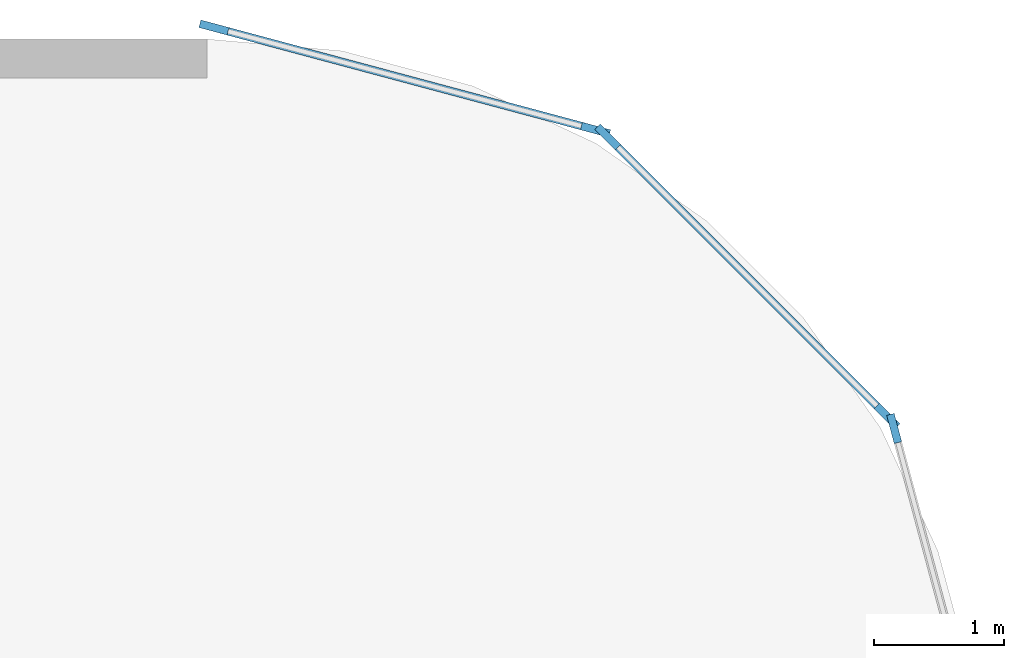
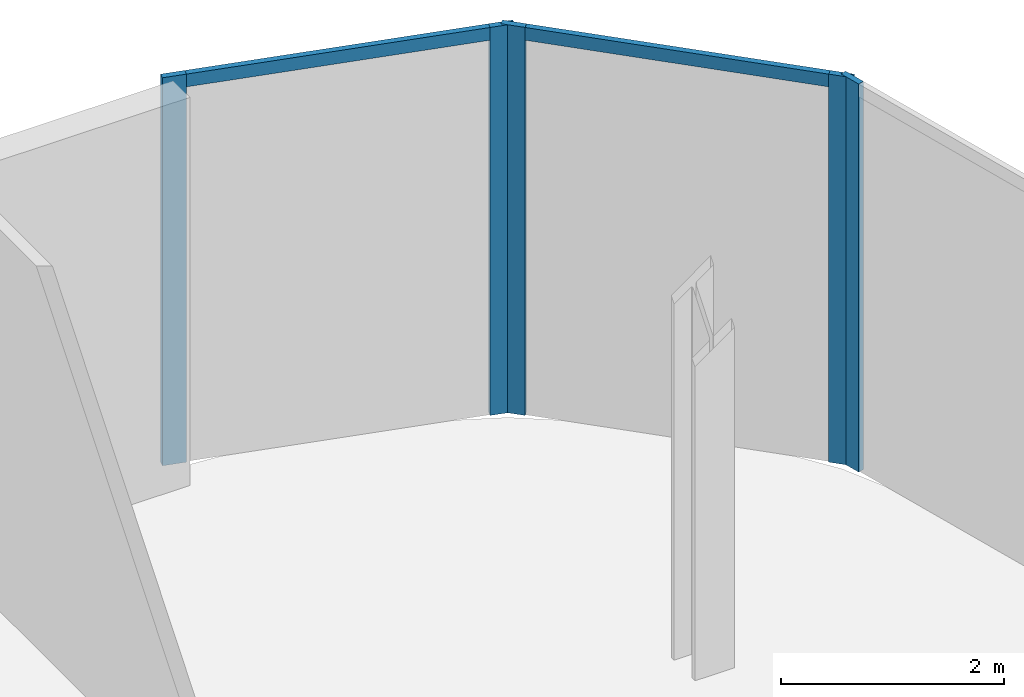
# One storey, part 23 of 47: 7 members, 3 elements without a shape of their own.
"""IFC4 building model written with IfcOpenShell, lengths in metres."""

import ifcopenshell
import ifcopenshell.guid

model = None  # the IFC model being written
_history = None  # IfcOwnerHistory: only IFC2X3 demands one
_inside = {}  # id of a spatial element -> (the spatial element, [elements in it])
_under = {}  # id of a project, library or spatial element -> (it, [spatial elements below it])
_declared = {}  # id of a project -> (the project, [libraries it declares])
_typed = {}  # id of a type object -> (the type object, [elements of that type])
_made_of = {}  # id of a material, layer set ... -> (it, [elements and type objects made of it])


def new_model(schema):
    """Start an empty IFC model of exactly this schema.

    Asked for "IFC4X3", IfcOpenShell would pick the latest addendum, in which some entities
    have other attributes; the version numbers below select the first issue.
    IFC2X3 requires an IfcOwnerHistory on every rooted entity: one is made here for all.
    """
    global model, _history
    if schema == "IFC4X3":
        model = ifcopenshell.file(schema_version=(4, 3, 0, 0))
    else:
        model = ifcopenshell.file(schema=schema)
    _inside.clear()
    _under.clear()
    _declared.clear()
    _typed.clear()
    _made_of.clear()
    _history = None
    if model.schema == "IFC2X3":
        org = make("IfcOrganization", Name="unknown")
        user = make(
            "IfcPersonAndOrganization",
            ThePerson=make("IfcPerson", FamilyName="unknown"),
            TheOrganization=org,
        )
        app = make(
            "IfcApplication",
            ApplicationDeveloper=org,
            Version="unknown",
            ApplicationFullName="unknown",
            ApplicationIdentifier="unknown",
        )
        _history = make(
            "IfcOwnerHistory",
            OwningUser=user,
            OwningApplication=app,
            ChangeAction="ADDED",
            CreationDate=0,
        )
    return model


def make(cls, **values):
    """One entity of the class cls with the attributes given. An attribute that is None is left unset."""
    return model.create_entity(
        cls, **{name: value for name, value in values.items() if value is not None}
    )


def rooted(cls, **values):
    """An entity with a GlobalId (a new one), such as an element, a storey or a relation."""
    return make(cls, GlobalId=ifcopenshell.guid.new(), OwnerHistory=_history, **values)


def si_unit(unit_type, name, prefix=None):
    """IfcSIUnit, for example si_unit("LENGTHUNIT", "METRE", prefix="MILLI")."""
    return make("IfcSIUnit", UnitType=unit_type, Prefix=prefix, Name=name)


def assignment(units):
    """IfcUnitAssignment: the units of a project."""
    return None if units is None else make("IfcUnitAssignment", Units=units)


def point(xyz):
    """IfcCartesianPoint."""
    return None if xyz is None else make("IfcCartesianPoint", Coordinates=xyz)


def direction(xyz):
    """IfcDirection."""
    return None if xyz is None else make("IfcDirection", DirectionRatios=xyz)


def frame(location, z_axis=None, x_axis=None):
    """IfcAxis2Placement3D, a coordinate frame: its origin and axes. An axis left out is left unset."""
    return make(
        "IfcAxis2Placement3D",
        Location=point(location),
        Axis=direction(z_axis),
        RefDirection=direction(x_axis),
    )


def frame_2d(location, x_axis=None):
    """IfcAxis2Placement2D, a coordinate frame in the plane: its origin and x axis."""
    return make(
        "IfcAxis2Placement2D", Location=point(location), RefDirection=direction(x_axis)
    )


def origin():
    """The frame at (0, 0, 0) with its axes left unset."""
    return frame((0.0, 0.0, 0.0))


def origin_2d():
    """The frame at (0, 0) in the plane with its x axis left unset."""
    return frame_2d((0.0, 0.0))


def place(relative_to, where):
    """IfcLocalPlacement: puts the frame where relative to a parent placement (None: the world)."""
    return make(
        "IfcLocalPlacement", PlacementRelTo=relative_to, RelativePlacement=where
    )


def context(
    kind, dimensions, precision=None, world=None, true_north=None, identifier=None
):
    """IfcGeometricRepresentationContext, for example the 3D "Model" context."""
    return make(
        "IfcGeometricRepresentationContext",
        ContextIdentifier=identifier,
        ContextType=kind,
        CoordinateSpaceDimension=dimensions,
        Precision=precision,
        WorldCoordinateSystem=world,
        TrueNorth=true_north,
    )


def subcontext(parent, identifier, kind, view, scale=None):
    """IfcGeometricRepresentationSubContext, for example "Body" below "Model"."""
    return make(
        "IfcGeometricRepresentationSubContext",
        ContextIdentifier=identifier,
        ContextType=kind,
        ParentContext=parent,
        TargetScale=scale,
        TargetView=view,
    )


def project(units=None, contexts=None):
    """IfcProject with its units and contexts."""
    return rooted(
        "IfcProject",
        Name="project",
        RepresentationContexts=contexts,
        UnitsInContext=assignment(units),
    )


def spatial(cls, under=None, at=None, **own):
    """A site, building, storey or space (cls), placed at a placement, below another one or the project."""
    s = rooted(cls, ObjectPlacement=at, **own)
    if under is not None:
        _under.setdefault(under.id(), (under, []))[1].append(s)
    return s


def profile(cls, at=None, kind="AREA", **sizes):
    """A parametric profile (cls). Its sizes go by their IFC names, for example OverallWidth=200.0."""
    return make(cls, ProfileType=kind, Position=at, **sizes)


def rectangle(**sizes):
    """IfcRectangleProfileDef."""
    return profile("IfcRectangleProfileDef", **sizes)


def extrude(swept, where, along, depth):
    """IfcExtrudedAreaSolid: the profile swept, set in the frame where, extruded along a direction by depth."""
    return make(
        "IfcExtrudedAreaSolid",
        SweptArea=swept,
        Position=where,
        ExtrudedDirection=direction(along),
        Depth=depth,
    )


def shape(context_of_items, identifier, shape_type, items):
    """IfcShapeRepresentation: the items that make up one representation, for example the "Body"."""
    return make(
        "IfcShapeRepresentation",
        ContextOfItems=context_of_items,
        RepresentationIdentifier=identifier,
        RepresentationType=shape_type,
        Items=items,
    )


def material(Name=None, Category=None):
    """IfcMaterial."""
    return make("IfcMaterial", Name=Name, Category=Category)


def layer(
    of_material, thickness, ventilated=None, Name=None, Category=None, Priority=None
):
    """IfcMaterialLayer: one layer of a wall or slab, of a material (None: an air gap)."""
    return make(
        "IfcMaterialLayer",
        Material=of_material,
        LayerThickness=thickness,
        IsVentilated=ventilated,
        Name=Name,
        Category=Category,
        Priority=Priority,
    )


def layer_set(layers, Name=None):
    """IfcMaterialLayerSet."""
    return make("IfcMaterialLayerSet", MaterialLayers=layers, LayerSetName=Name)


def material_profile(
    of_material, cross_section, Name=None, Category=None, Priority=None
):
    """IfcMaterialProfile: a cross section and its material."""
    return make(
        "IfcMaterialProfile",
        Name=Name,
        Material=of_material,
        Profile=cross_section,
        Priority=Priority,
        Category=Category,
    )


def profile_set(profiles, Name=None, composite=None):
    """IfcMaterialProfileSet."""
    return make(
        "IfcMaterialProfileSet",
        Name=Name,
        MaterialProfiles=profiles,
        CompositeProfile=composite,
    )


def made_of(thing, what):
    """Note that an element or type object is made of a material, layer set ...; save() writes the relation."""
    if what is not None:
        _made_of.setdefault(what.id(), (what, []))[1].append(thing)
    return thing


def type_object(cls, material=None, **own):
    """A type object (cls), such as IfcWallType, which elements share."""
    return made_of(rooted(cls, **own), material)


def element(
    cls,
    number,
    at=None,
    inside=None,
    cuts=None,
    type_object=None,
    material=None,
    context=None,
    identifier="Body",
    shape_type=None,
    held_by="IfcProductDefinitionShape",
    body=None,
    shapes=None,
    **own,
):
    """One element of the class cls, such as IfcWall. Its Tag is "e" and its number.

    at: its placement. inside: the storey or other place that contains it. cuts: it is an
    opening in that element (IfcRelVoidsElement). A single representation is given by context,
    identifier, shape_type and body (its items); several are given by shapes. held_by: the class
    of the entity that holds the representations. save() writes the other relations.
    """
    e = rooted(cls, Tag="e%d" % number, ObjectPlacement=at, **own)
    if body is not None:
        shapes = [shape(context, identifier, shape_type, body)]
    if shapes is not None:
        e.Representation = make(held_by, Representations=shapes)
    if inside is not None:
        _inside.setdefault(inside.id(), (inside, []))[1].append(e)
    if cuts is not None:
        rooted(
            "IfcRelVoidsElement", RelatingBuildingElement=cuts, RelatedOpeningElement=e
        )
    if type_object is not None:
        _typed.setdefault(type_object.id(), (type_object, []))[1].append(e)
    return made_of(e, material)


def aggregate(whole, parts):
    """IfcRelAggregates: a whole, such as a stair, and the parts it consists of."""
    return rooted("IfcRelAggregates", RelatingObject=whole, RelatedObjects=parts)


def save(model, path):
    """Write the relations noted so far, then the file.

    IfcRelAggregates (storeys below a building ...), IfcRelContainedInSpatialStructure (elements
    in a storey), IfcRelDefinesByType, IfcRelAssociatesMaterial and IfcRelDeclares: one each for
    every whole, place, type object, material and project.
    """
    for whole, parts in _under.values():
        aggregate(whole, parts)
    for where, things in _inside.values():
        rooted(
            "IfcRelContainedInSpatialStructure",
            RelatedElements=things,
            RelatingStructure=where,
        )
    for kind, things in _typed.values():
        rooted("IfcRelDefinesByType", RelatedObjects=things, RelatingType=kind)
    for what, things in _made_of.values():
        rooted("IfcRelAssociatesMaterial", RelatedObjects=things, RelatingMaterial=what)
    for by, libraries in _declared.values():
        rooted("IfcRelDeclares", RelatingContext=by, RelatedDefinitions=libraries)
    model.write(path)


model = new_model("IFC4")

# Units and contexts
model_context = context("Model", 3, precision=1e-05, world=origin(), true_north=direction((0.0, 1.0)))
body_context = subcontext(model_context, "Body", "Model", "MODEL_VIEW")
ifc_project = project(units=[si_unit("LENGTHUNIT", "METRE"), si_unit("AREAUNIT", "SQUARE_METRE"), si_unit("VOLUMEUNIT", "CUBIC_METRE"), si_unit("PLANEANGLEUNIT", "RADIAN"), si_unit("MASSUNIT", "GRAM", prefix="KILO")], contexts=[model_context])

# Site, building, storey
site_placement = place(None, origin())
site = spatial("IfcSite", under=ifc_project, at=site_placement, CompositionType="ELEMENT")
building_placement = place(site_placement, origin())
building = spatial("IfcBuilding", under=site, at=building_placement, Name="Kheshtan School and Residences Tower", CompositionType="ELEMENT")
storey_placement = place(building_placement, frame((0.0, 0.0, 21.5)))
storey = spatial("IfcBuildingStorey", under=building, at=storey_placement, Name="L04", CompositionType="ELEMENT", Elevation=21.5)

# Curtain wall, members
ifc_material_1 = material(Name="Clear low-e glass in thermally broken aluminium frame", Category="aluminium")
ifc_layer = layer(ifc_material_1, 0.22509765625)
ifc_layer_set = layer_set([ifc_layer], Name="Curtain wall CW-P")
curtain_wall_type = type_object("IfcCurtainWallType", Name="Curtain wall CW-P", PredefinedType="NOTDEFINED", material=ifc_layer_set)
curtain_wall_1_placement = place(storey_placement, origin())
curtain_wall_1 = element("IfcCurtainWall", 1, at=curtain_wall_1_placement, inside=storey, type_object=curtain_wall_type, Name="Curtain wall CWP5a", PredefinedType="NOTDEFINED")
ifc_material_2 = material(Name="Thermally broken aluminium, dark bronze anodised", Category="aluminium")
ifc_material_profile_1 = material_profile(ifc_material_2, rectangle(XDim=0.06005859375, YDim=0.22509765625, at=origin_2d()), Name="CW-P mullion 60x225")
ifc_profile_set_1 = profile_set([ifc_material_profile_1], Name="Thermally broken aluminium, dark bronze anodised")
member_type_1 = type_object("IfcMemberType", Name="CW-P mullion 60x225", PredefinedType="MULLION", material=ifc_profile_set_1)
member_1_placement = place(storey_placement, frame((126.054931640625, 110.0888671875, 0.0), z_axis=(0.0, 0.0, 1.0), x_axis=(0.258864833085, 0.965913556273, 0.0)))
member_1 = element("IfcMember", 2, at=member_1_placement, type_object=member_type_1, Name="CWP5a mullion 1", PredefinedType="MULLION", context=body_context, shape_type="SweptSolid", body=[
    extrude(rectangle(XDim=0.06005859375, YDim=0.22509765625, at=origin_2d()), origin(), (0.0, 0.0, 1.0), 4.25),
])
member_2_placement = place(storey_placement, frame((128.996826171875, 109.30029296875, 0.0), z_axis=(0.0, 0.0, 1.0), x_axis=(0.258864833085, 0.965913556273, 0.0)))
member_2 = element("IfcMember", 3, at=member_2_placement, type_object=member_type_1, Name="CWP5a mullion 2", PredefinedType="MULLION", context=body_context, shape_type="SweptSolid", body=[
    extrude(rectangle(XDim=0.06005859375, YDim=0.22509765625, at=origin_2d()), origin(), (0.0, 0.0, 1.0), 4.25),
])

curtain_wall_2_placement = place(storey_placement, origin())
curtain_wall_2 = element("IfcCurtainWall", 4, at=curtain_wall_2_placement, inside=storey, type_object=curtain_wall_type, Name="Curtain wall CWP6a", PredefinedType="NOTDEFINED")
member_3_placement = place(storey_placement, frame((129.092041015625, 109.24560546875, 0.0), z_axis=(0.0, 0.0, 1.0), x_axis=(0.707106781187, 0.707106781187, 0.0)))
member_3 = element("IfcMember", 5, at=member_3_placement, type_object=member_type_1, Name="CWP6a mullion 1", PredefinedType="MULLION", context=body_context, shape_type="SweptSolid", body=[
    extrude(rectangle(XDim=0.06005859375, YDim=0.22509765625, at=origin_2d()), origin(), (0.0, 0.0, 1.0), 4.25),
])
member_4_placement = place(storey_placement, frame((131.24560546875, 107.092041015625, 0.0), z_axis=(0.0, 0.0, 1.0), x_axis=(0.707106781187, 0.707106781187, 0.0)))
member_4 = element("IfcMember", 6, at=member_4_placement, type_object=member_type_1, Name="CWP6a mullion 2", PredefinedType="MULLION", context=body_context, shape_type="SweptSolid", body=[
    extrude(rectangle(XDim=0.06005859375, YDim=0.22509765625, at=origin_2d()), origin(), (0.0, 0.0, 1.0), 4.25),
])

# Curtain wall, member
curtain_wall_3_placement = place(storey_placement, origin())
curtain_wall_3 = element("IfcCurtainWall", 7, at=curtain_wall_3_placement, inside=storey, type_object=curtain_wall_type, Name="Curtain wall CWP7a", PredefinedType="NOTDEFINED")
member_5_placement = place(storey_placement, frame((131.30029296875, 106.996826171875, 0.0), z_axis=(0.0, 0.0, 1.0), x_axis=(0.965913556273, 0.258864833085, 0.0)))
member_5 = element("IfcMember", 8, at=member_5_placement, type_object=member_type_1, Name="CWP7a mullion 1", PredefinedType="MULLION", context=body_context, shape_type="SweptSolid", body=[
    extrude(rectangle(XDim=0.06005859375, YDim=0.22509765625, at=origin_2d()), origin(), (0.0, 0.0, 1.0), 4.25),
])
aggregate(curtain_wall_3, [member_5])

# Member
ifc_material_profile_2 = material_profile(ifc_material_2, rectangle(XDim=0.06005859375, YDim=0.139892578125, at=origin_2d()), Name="CW-P transom 60x140")
ifc_profile_set_2 = profile_set([ifc_material_profile_2], Name="Thermally broken aluminium, dark bronze anodised")
member_type_2 = type_object("IfcMemberType", Name="CW-P transom 60x140", PredefinedType="USERDEFINED", material=ifc_profile_set_2)
member_6_placement = place(storey_placement, frame((126.083740234375, 110.0810546875, 4.179931640625), z_axis=(0.965916663607, -0.258853238275, 0.0), x_axis=(0.258853238275, 0.965916663607, 0.0)))
member_6 = element("IfcMember", 9, at=member_6_placement, type_object=member_type_2, Name="CWP5a transom 1", ObjectType="TRANSOM", PredefinedType="USERDEFINED", context=body_context, shape_type="SweptSolid", body=[
    extrude(rectangle(XDim=0.06005859375, YDim=0.139892578125, at=origin_2d()), origin(), (0.0, 0.0, 1.0), 2.986083984375),
])

aggregate(curtain_wall_1, [member_1, member_2, member_6])

member_7_placement = place(storey_placement, frame((129.113037109375, 109.224365234375, 4.179931640625), z_axis=(0.707106781187, -0.707106781187, 0.0), x_axis=(0.707106781187, 0.707106781187, 0.0)))
member_7 = element("IfcMember", 10, at=member_7_placement, type_object=member_type_2, Name="CWP6a transom 1", ObjectType="TRANSOM", PredefinedType="USERDEFINED", context=body_context, shape_type="SweptSolid", body=[
    extrude(rectangle(XDim=0.06005859375, YDim=0.139892578125, at=origin_2d()), origin(), (0.0, 0.0, 1.0), 2.98583984375),
])

aggregate(curtain_wall_2, [member_3, member_4, member_7])

save(model, "model.ifc")
